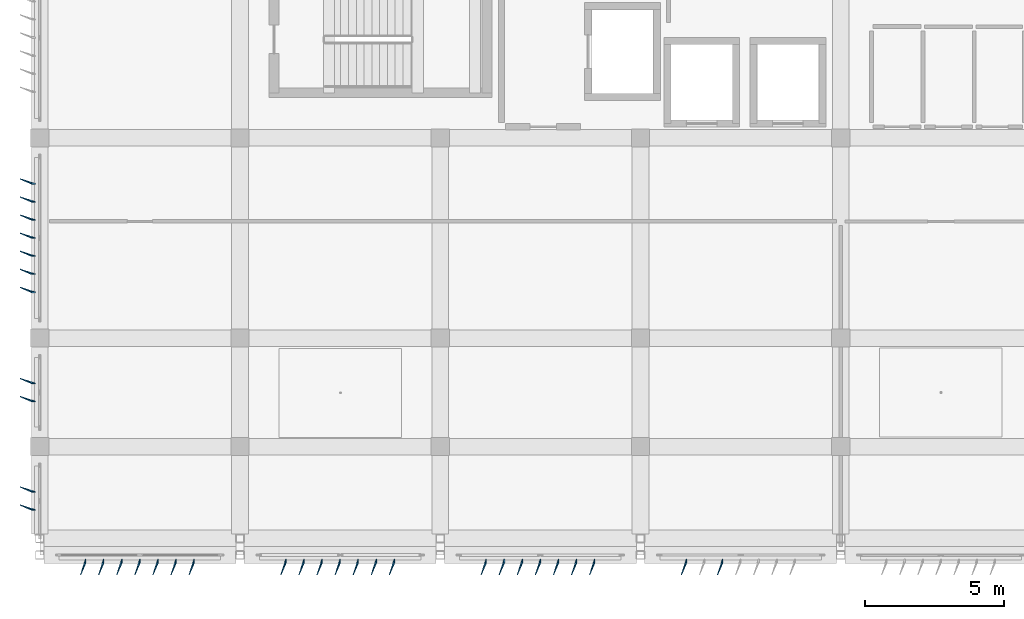
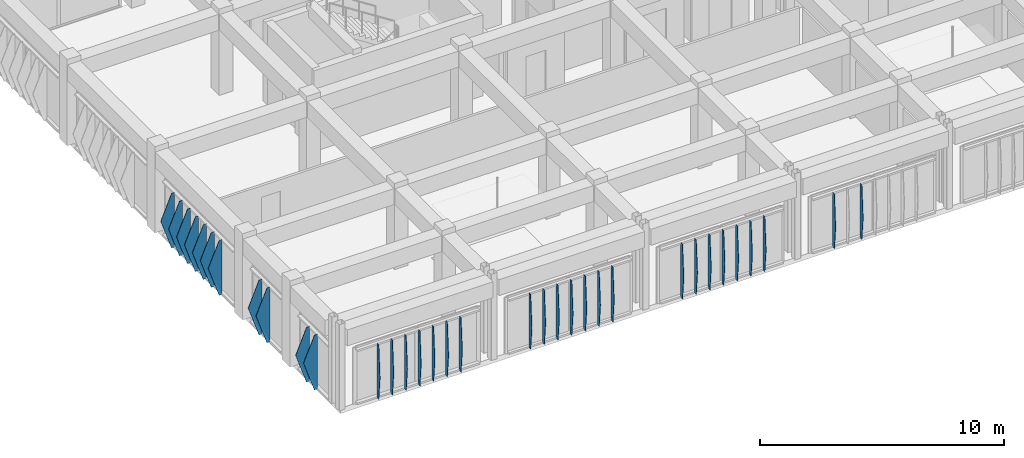
# One storey, part 47 of 53: 34 plates.
"""IFC4 building model written with IfcOpenShell, lengths in metres."""

from ifc_helpers import new_model, si_unit, direction, frame, origin, place, context, subcontext, project, spatial, polygons, material, layer, layer_set, type_object, element, save


model = new_model("IFC4")

# Units and contexts
model_context = context("Model", 3, precision=1e-05, world=origin(), true_north=direction((0.0, 1.0)))
body_context = subcontext(model_context, "Body", "Model", "MODEL_VIEW")
ifc_project = project(units=[si_unit("LENGTHUNIT", "METRE"), si_unit("AREAUNIT", "SQUARE_METRE"), si_unit("VOLUMEUNIT", "CUBIC_METRE"), si_unit("PLANEANGLEUNIT", "RADIAN"), si_unit("MASSUNIT", "GRAM", prefix="KILO")], contexts=[model_context])

# Site, building, storey
site_placement = place(None, origin())
site = spatial("IfcSite", under=ifc_project, at=site_placement, CompositionType="ELEMENT")
building_placement = place(site_placement, origin())
building = spatial("IfcBuilding", under=site, at=building_placement, Name="Kazehaya Institute of Natural Sciences", CompositionType="ELEMENT")
storey_placement = place(building_placement, frame((0.0, 0.0, 33.300048828125)))
storey = spatial("IfcBuildingStorey", under=building, at=storey_placement, Name="L07", CompositionType="ELEMENT", Elevation=33.300048828125)

# Plates
ifc_material = material(Name="Bronze-anodised aluminium alloy A6063S-T5", Category="aluminium")
ifc_layer_1 = layer(ifc_material, 0.02001953125, Name="Bronze-anodised aluminium alloy A6063S-T5", Category="aluminium")
ifc_layer_set_1 = layer_set([ifc_layer_1], Name="Bronze-anodised aluminium alloy A6063S-T5")
plate_type_1 = type_object("IfcPlateType", Name="FIN-DF-E1", PredefinedType="USERDEFINED", material=ifc_layer_set_1)
plate_1_placement = place(storey_placement, origin())
element("IfcPlate", 1, at=plate_1_placement, inside=storey, type_object=plate_type_1, Name="L07 folded diamond-pyramid shading fin FIN-L07-W-0652", ObjectType="SHADING_FIN", PredefinedType="USERDEFINED", context=body_context, shape_type="Tessellation", body=[
    polygons([(54.445068359375, 7.81494140625, 0.0400390625), (54.300048828125, 7.81494140625, 0.0400390625), (53.889892578125, 7.99365234375, 1.409912109375), (54.300048828125, 7.81494140625, 2.780029296875), (54.445068359375, 7.81494140625, 2.780029296875), (54.445068359375, 7.8349609375, 0.0400390625), (54.300048828125, 7.8349609375, 0.0400390625), (53.889892578125, 8.013671875, 1.409912109375), (54.300048828125, 7.8349609375, 2.780029296875), (54.445068359375, 7.8349609375, 2.780029296875)], [[[1, 5, 4, 3, 2]], [[6, 7, 8, 9, 10]], [[1, 2, 7, 6]], [[2, 3, 8, 7]], [[3, 4, 9, 8]], [[4, 5, 10, 9]], [[5, 1, 6, 10]]], closed=True),
])
plate_2_placement = place(storey_placement, origin())
element("IfcPlate", 2, at=plate_2_placement, inside=storey, type_object=plate_type_1, Name="L07 folded diamond-pyramid shading fin FIN-L07-W-0653", ObjectType="SHADING_FIN", PredefinedType="USERDEFINED", context=body_context, shape_type="Tessellation", body=[
    polygons([(54.445068359375, 8.465087890625, 0.0400390625), (54.300048828125, 8.465087890625, 0.0400390625), (53.889892578125, 8.643798828125, 1.409912109375), (54.300048828125, 8.465087890625, 2.780029296875), (54.445068359375, 8.465087890625, 2.780029296875), (54.445068359375, 8.485107421875, 0.0400390625), (54.300048828125, 8.485107421875, 0.0400390625), (53.889892578125, 8.663818359375, 1.409912109375), (54.300048828125, 8.485107421875, 2.780029296875), (54.445068359375, 8.485107421875, 2.780029296875)], [[[1, 5, 4, 3, 2]], [[6, 7, 8, 9, 10]], [[1, 2, 7, 6]], [[2, 3, 8, 7]], [[3, 4, 9, 8]], [[4, 5, 10, 9]], [[5, 1, 6, 10]]], closed=True),
])
plate_3_placement = place(storey_placement, origin())
element("IfcPlate", 3, at=plate_3_placement, inside=storey, type_object=plate_type_1, Name="L07 folded diamond-pyramid shading fin FIN-L07-W-0656", ObjectType="SHADING_FIN", PredefinedType="USERDEFINED", context=body_context, shape_type="Tessellation", body=[
    polygons([(54.445068359375, 11.715087890625, 0.0400390625), (54.300048828125, 11.715087890625, 0.0400390625), (53.889892578125, 11.893798828125, 1.409912109375), (54.300048828125, 11.715087890625, 2.780029296875), (54.445068359375, 11.715087890625, 2.780029296875), (54.445068359375, 11.735107421875, 0.0400390625), (54.300048828125, 11.735107421875, 0.0400390625), (53.889892578125, 11.913818359375, 1.409912109375), (54.300048828125, 11.735107421875, 2.780029296875), (54.445068359375, 11.735107421875, 2.780029296875)], [[[1, 5, 4, 3, 2]], [[6, 7, 8, 9, 10]], [[1, 2, 7, 6]], [[2, 3, 8, 7]], [[3, 4, 9, 8]], [[4, 5, 10, 9]], [[5, 1, 6, 10]]], closed=True),
])
plate_4_placement = place(storey_placement, origin())
element("IfcPlate", 4, at=plate_4_placement, inside=storey, type_object=plate_type_1, Name="L07 folded diamond-pyramid shading fin FIN-L07-W-0657", ObjectType="SHADING_FIN", PredefinedType="USERDEFINED", context=body_context, shape_type="Tessellation", body=[
    polygons([(54.445068359375, 12.364990234375, 0.0400390625), (54.300048828125, 12.364990234375, 0.0400390625), (53.889892578125, 12.543701171875, 1.409912109375), (54.300048828125, 12.364990234375, 2.780029296875), (54.445068359375, 12.364990234375, 2.780029296875), (54.445068359375, 12.385009765625, 0.0400390625), (54.300048828125, 12.385009765625, 0.0400390625), (53.889892578125, 12.563720703125, 1.409912109375), (54.300048828125, 12.385009765625, 2.780029296875), (54.445068359375, 12.385009765625, 2.780029296875)], [[[1, 5, 4, 3, 2]], [[6, 7, 8, 9, 10]], [[1, 2, 7, 6]], [[2, 3, 8, 7]], [[3, 4, 9, 8]], [[4, 5, 10, 9]], [[5, 1, 6, 10]]], closed=True),
])
plate_5_placement = place(storey_placement, origin())
element("IfcPlate", 5, at=plate_5_placement, inside=storey, type_object=plate_type_1, Name="L07 folded diamond-pyramid shading fin FIN-L07-W-0660", ObjectType="SHADING_FIN", PredefinedType="USERDEFINED", context=body_context, shape_type="Tessellation", body=[
    polygons([(54.445068359375, 15.639892578125, 0.0400390625), (54.300048828125, 15.639892578125, 0.0400390625), (53.889892578125, 15.818603515625, 1.409912109375), (54.300048828125, 15.639892578125, 2.780029296875), (54.445068359375, 15.639892578125, 2.780029296875), (54.445068359375, 15.659912109375, 0.0400390625), (54.300048828125, 15.659912109375, 0.0400390625), (53.889892578125, 15.838623046875, 1.409912109375), (54.300048828125, 15.659912109375, 2.780029296875), (54.445068359375, 15.659912109375, 2.780029296875)], [[[1, 5, 4, 3, 2]], [[6, 7, 8, 9, 10]], [[1, 2, 7, 6]], [[2, 3, 8, 7]], [[3, 4, 9, 8]], [[4, 5, 10, 9]], [[5, 1, 6, 10]]], closed=True),
])
plate_6_placement = place(storey_placement, origin())
element("IfcPlate", 6, at=plate_6_placement, inside=storey, type_object=plate_type_1, Name="L07 folded diamond-pyramid shading fin FIN-L07-W-0661", ObjectType="SHADING_FIN", PredefinedType="USERDEFINED", context=body_context, shape_type="Tessellation", body=[
    polygons([(54.445068359375, 16.2900390625, 0.0400390625), (54.300048828125, 16.2900390625, 0.0400390625), (53.889892578125, 16.46875, 1.409912109375), (54.300048828125, 16.2900390625, 2.780029296875), (54.445068359375, 16.2900390625, 2.780029296875), (54.445068359375, 16.31005859375, 0.0400390625), (54.300048828125, 16.31005859375, 0.0400390625), (53.889892578125, 16.48876953125, 1.409912109375), (54.300048828125, 16.31005859375, 2.780029296875), (54.445068359375, 16.31005859375, 2.780029296875)], [[[1, 5, 4, 3, 2]], [[6, 7, 8, 9, 10]], [[1, 2, 7, 6]], [[2, 3, 8, 7]], [[3, 4, 9, 8]], [[4, 5, 10, 9]], [[5, 1, 6, 10]]], closed=True),
])
plate_7_placement = place(storey_placement, origin())
element("IfcPlate", 7, at=plate_7_placement, inside=storey, type_object=plate_type_1, Name="L07 folded diamond-pyramid shading fin FIN-L07-W-0662", ObjectType="SHADING_FIN", PredefinedType="USERDEFINED", context=body_context, shape_type="Tessellation", body=[
    polygons([(54.445068359375, 16.93994140625, 0.0400390625), (54.300048828125, 16.93994140625, 0.0400390625), (53.889892578125, 17.11865234375, 1.409912109375), (54.300048828125, 16.93994140625, 2.780029296875), (54.445068359375, 16.93994140625, 2.780029296875), (54.445068359375, 16.9599609375, 0.0400390625), (54.300048828125, 16.9599609375, 0.0400390625), (53.889892578125, 17.138671875, 1.409912109375), (54.300048828125, 16.9599609375, 2.780029296875), (54.445068359375, 16.9599609375, 2.780029296875)], [[[1, 5, 4, 3, 2]], [[6, 7, 8, 9, 10]], [[1, 2, 7, 6]], [[2, 3, 8, 7]], [[3, 4, 9, 8]], [[4, 5, 10, 9]], [[5, 1, 6, 10]]], closed=True),
])
plate_8_placement = place(storey_placement, origin())
element("IfcPlate", 8, at=plate_8_placement, inside=storey, type_object=plate_type_1, Name="L07 folded diamond-pyramid shading fin FIN-L07-W-0663", ObjectType="SHADING_FIN", PredefinedType="USERDEFINED", context=body_context, shape_type="Tessellation", body=[
    polygons([(54.445068359375, 17.590087890625, 0.0400390625), (54.300048828125, 17.590087890625, 0.0400390625), (53.889892578125, 17.768798828125, 1.409912109375), (54.300048828125, 17.590087890625, 2.780029296875), (54.445068359375, 17.590087890625, 2.780029296875), (54.445068359375, 17.610107421875, 0.0400390625), (54.300048828125, 17.610107421875, 0.0400390625), (53.889892578125, 17.788818359375, 1.409912109375), (54.300048828125, 17.610107421875, 2.780029296875), (54.445068359375, 17.610107421875, 2.780029296875)], [[[1, 5, 4, 3, 2]], [[6, 7, 8, 9, 10]], [[1, 2, 7, 6]], [[2, 3, 8, 7]], [[3, 4, 9, 8]], [[4, 5, 10, 9]], [[5, 1, 6, 10]]], closed=True),
])
plate_9_placement = place(storey_placement, origin())
element("IfcPlate", 9, at=plate_9_placement, inside=storey, type_object=plate_type_1, Name="L07 folded diamond-pyramid shading fin FIN-L07-W-0664", ObjectType="SHADING_FIN", PredefinedType="USERDEFINED", context=body_context, shape_type="Tessellation", body=[
    polygons([(54.445068359375, 18.239990234375, 0.0400390625), (54.300048828125, 18.239990234375, 0.0400390625), (53.889892578125, 18.418701171875, 1.409912109375), (54.300048828125, 18.239990234375, 2.780029296875), (54.445068359375, 18.239990234375, 2.780029296875), (54.445068359375, 18.260009765625, 0.0400390625), (54.300048828125, 18.260009765625, 0.0400390625), (53.889892578125, 18.438720703125, 1.409912109375), (54.300048828125, 18.260009765625, 2.780029296875), (54.445068359375, 18.260009765625, 2.780029296875)], [[[1, 5, 4, 3, 2]], [[6, 7, 8, 9, 10]], [[1, 2, 7, 6]], [[2, 3, 8, 7]], [[3, 4, 9, 8]], [[4, 5, 10, 9]], [[5, 1, 6, 10]]], closed=True),
])
plate_10_placement = place(storey_placement, origin())
element("IfcPlate", 10, at=plate_10_placement, inside=storey, type_object=plate_type_1, Name="L07 folded diamond-pyramid shading fin FIN-L07-W-0665", ObjectType="SHADING_FIN", PredefinedType="USERDEFINED", context=body_context, shape_type="Tessellation", body=[
    polygons([(54.445068359375, 18.889892578125, 0.0400390625), (54.300048828125, 18.889892578125, 0.0400390625), (53.889892578125, 19.068603515625, 1.409912109375), (54.300048828125, 18.889892578125, 2.780029296875), (54.445068359375, 18.889892578125, 2.780029296875), (54.445068359375, 18.909912109375, 0.0400390625), (54.300048828125, 18.909912109375, 0.0400390625), (53.889892578125, 19.088623046875, 1.409912109375), (54.300048828125, 18.909912109375, 2.780029296875), (54.445068359375, 18.909912109375, 2.780029296875)], [[[1, 5, 4, 3, 2]], [[6, 7, 8, 9, 10]], [[1, 2, 7, 6]], [[2, 3, 8, 7]], [[3, 4, 9, 8]], [[4, 5, 10, 9]], [[5, 1, 6, 10]]], closed=True),
])
plate_11_placement = place(storey_placement, origin())
element("IfcPlate", 11, at=plate_11_placement, inside=storey, type_object=plate_type_1, Name="L07 folded diamond-pyramid shading fin FIN-L07-W-0666", ObjectType="SHADING_FIN", PredefinedType="USERDEFINED", context=body_context, shape_type="Tessellation", body=[
    polygons([(54.445068359375, 19.5400390625, 0.0400390625), (54.300048828125, 19.5400390625, 0.0400390625), (53.889892578125, 19.71875, 1.409912109375), (54.300048828125, 19.5400390625, 2.780029296875), (54.445068359375, 19.5400390625, 2.780029296875), (54.445068359375, 19.56005859375, 0.0400390625), (54.300048828125, 19.56005859375, 0.0400390625), (53.889892578125, 19.73876953125, 1.409912109375), (54.300048828125, 19.56005859375, 2.780029296875), (54.445068359375, 19.56005859375, 2.780029296875)], [[[1, 5, 4, 3, 2]], [[6, 7, 8, 9, 10]], [[1, 2, 7, 6]], [[2, 3, 8, 7]], [[3, 4, 9, 8]], [[4, 5, 10, 9]], [[5, 1, 6, 10]]], closed=True),
])
ifc_layer_2 = layer(ifc_material, 0.02001953125, Name="Bronze-anodised aluminium alloy A6063S-T5", Category="aluminium")
ifc_layer_set_2 = layer_set([ifc_layer_2], Name="Bronze-anodised aluminium alloy A6063S-T5")
plate_type_2 = type_object("IfcPlateType", Name="FIN-DF-S1", PredefinedType="USERDEFINED", material=ifc_layer_set_2)
plate_12_placement = place(storey_placement, origin())
element("IfcPlate", 12, at=plate_12_placement, inside=storey, type_object=plate_type_2, Name="L07 folded diamond-pyramid shading fin FIN-L07-S-0583", ObjectType="SHADING_FIN", PredefinedType="USERDEFINED", context=body_context, shape_type="Tessellation", body=[
    polygons([(79.159912109375, 6.044921875, 0.0400390625), (79.159912109375, 5.89990234375, 0.0400390625), (78.981201171875, 5.489990234375, 1.409912109375), (79.159912109375, 5.89990234375, 2.780029296875), (79.159912109375, 6.044921875, 2.780029296875), (79.139892578125, 6.044921875, 0.0400390625), (79.139892578125, 5.89990234375, 0.0400390625), (78.961181640625, 5.489990234375, 1.409912109375), (79.139892578125, 5.89990234375, 2.780029296875), (79.139892578125, 6.044921875, 2.780029296875)], [[[1, 5, 4, 3, 2]], [[6, 7, 8, 9, 10]], [[1, 2, 7, 6]], [[2, 3, 8, 7]], [[3, 4, 9, 8]], [[4, 5, 10, 9]], [[5, 1, 6, 10]]], closed=True),
])
plate_13_placement = place(storey_placement, origin())
element("IfcPlate", 13, at=plate_13_placement, inside=storey, type_object=plate_type_2, Name="L07 folded diamond-pyramid shading fin FIN-L07-S-0585", ObjectType="SHADING_FIN", PredefinedType="USERDEFINED", context=body_context, shape_type="Tessellation", body=[
    polygons([(77.860107421875, 6.044921875, 0.0400390625), (77.860107421875, 5.89990234375, 0.0400390625), (77.681396484375, 5.489990234375, 1.409912109375), (77.860107421875, 5.89990234375, 2.780029296875), (77.860107421875, 6.044921875, 2.780029296875), (77.840087890625, 6.044921875, 0.0400390625), (77.840087890625, 5.89990234375, 0.0400390625), (77.661376953125, 5.489990234375, 1.409912109375), (77.840087890625, 5.89990234375, 2.780029296875), (77.840087890625, 6.044921875, 2.780029296875)], [[[1, 5, 4, 3, 2]], [[6, 7, 8, 9, 10]], [[1, 2, 7, 6]], [[2, 3, 8, 7]], [[3, 4, 9, 8]], [[4, 5, 10, 9]], [[5, 1, 6, 10]]], closed=True),
])
plate_14_placement = place(storey_placement, origin())
element("IfcPlate", 14, at=plate_14_placement, inside=storey, type_object=plate_type_2, Name="L07 folded diamond-pyramid shading fin FIN-L07-S-0586", ObjectType="SHADING_FIN", PredefinedType="USERDEFINED", context=body_context, shape_type="Tessellation", body=[
    polygons([(74.56005859375, 6.044921875, 0.0400390625), (74.56005859375, 5.89990234375, 0.0400390625), (74.38134765625, 5.489990234375, 1.409912109375), (74.56005859375, 5.89990234375, 2.780029296875), (74.56005859375, 6.044921875, 2.780029296875), (74.5400390625, 6.044921875, 0.0400390625), (74.5400390625, 5.89990234375, 0.0400390625), (74.361328125, 5.489990234375, 1.409912109375), (74.5400390625, 5.89990234375, 2.780029296875), (74.5400390625, 6.044921875, 2.780029296875)], [[[1, 5, 4, 3, 2]], [[6, 7, 8, 9, 10]], [[1, 2, 7, 6]], [[2, 3, 8, 7]], [[3, 4, 9, 8]], [[4, 5, 10, 9]], [[5, 1, 6, 10]]], closed=True),
])
plate_15_placement = place(storey_placement, origin())
element("IfcPlate", 15, at=plate_15_placement, inside=storey, type_object=plate_type_2, Name="L07 folded diamond-pyramid shading fin FIN-L07-S-0587", ObjectType="SHADING_FIN", PredefinedType="USERDEFINED", context=body_context, shape_type="Tessellation", body=[
    polygons([(73.909912109375, 6.044921875, 0.0400390625), (73.909912109375, 5.89990234375, 0.0400390625), (73.731201171875, 5.489990234375, 1.409912109375), (73.909912109375, 5.89990234375, 2.780029296875), (73.909912109375, 6.044921875, 2.780029296875), (73.889892578125, 6.044921875, 0.0400390625), (73.889892578125, 5.89990234375, 0.0400390625), (73.711181640625, 5.489990234375, 1.409912109375), (73.889892578125, 5.89990234375, 2.780029296875), (73.889892578125, 6.044921875, 2.780029296875)], [[[1, 5, 4, 3, 2]], [[6, 7, 8, 9, 10]], [[1, 2, 7, 6]], [[2, 3, 8, 7]], [[3, 4, 9, 8]], [[4, 5, 10, 9]], [[5, 1, 6, 10]]], closed=True),
])
plate_16_placement = place(storey_placement, origin())
element("IfcPlate", 16, at=plate_16_placement, inside=storey, type_object=plate_type_2, Name="L07 folded diamond-pyramid shading fin FIN-L07-S-0588", ObjectType="SHADING_FIN", PredefinedType="USERDEFINED", context=body_context, shape_type="Tessellation", body=[
    polygons([(73.260009765625, 6.044921875, 0.0400390625), (73.260009765625, 5.89990234375, 0.0400390625), (73.081298828125, 5.489990234375, 1.409912109375), (73.260009765625, 5.89990234375, 2.780029296875), (73.260009765625, 6.044921875, 2.780029296875), (73.239990234375, 6.044921875, 0.0400390625), (73.239990234375, 5.89990234375, 0.0400390625), (73.061279296875, 5.489990234375, 1.409912109375), (73.239990234375, 5.89990234375, 2.780029296875), (73.239990234375, 6.044921875, 2.780029296875)], [[[1, 5, 4, 3, 2]], [[6, 7, 8, 9, 10]], [[1, 2, 7, 6]], [[2, 3, 8, 7]], [[3, 4, 9, 8]], [[4, 5, 10, 9]], [[5, 1, 6, 10]]], closed=True),
])
plate_17_placement = place(storey_placement, origin())
element("IfcPlate", 17, at=plate_17_placement, inside=storey, type_object=plate_type_2, Name="L07 folded diamond-pyramid shading fin FIN-L07-S-0589", ObjectType="SHADING_FIN", PredefinedType="USERDEFINED", context=body_context, shape_type="Tessellation", body=[
    polygons([(72.610107421875, 6.044921875, 0.0400390625), (72.610107421875, 5.89990234375, 0.0400390625), (72.431396484375, 5.489990234375, 1.409912109375), (72.610107421875, 5.89990234375, 2.780029296875), (72.610107421875, 6.044921875, 2.780029296875), (72.590087890625, 6.044921875, 0.0400390625), (72.590087890625, 5.89990234375, 0.0400390625), (72.411376953125, 5.489990234375, 1.409912109375), (72.590087890625, 5.89990234375, 2.780029296875), (72.590087890625, 6.044921875, 2.780029296875)], [[[1, 5, 4, 3, 2]], [[6, 7, 8, 9, 10]], [[1, 2, 7, 6]], [[2, 3, 8, 7]], [[3, 4, 9, 8]], [[4, 5, 10, 9]], [[5, 1, 6, 10]]], closed=True),
])
plate_18_placement = place(storey_placement, origin())
element("IfcPlate", 18, at=plate_18_placement, inside=storey, type_object=plate_type_2, Name="L07 folded diamond-pyramid shading fin FIN-L07-S-0590", ObjectType="SHADING_FIN", PredefinedType="USERDEFINED", context=body_context, shape_type="Tessellation", body=[
    polygons([(71.9599609375, 6.044921875, 0.0400390625), (71.9599609375, 5.89990234375, 0.0400390625), (71.78125, 5.489990234375, 1.409912109375), (71.9599609375, 5.89990234375, 2.780029296875), (71.9599609375, 6.044921875, 2.780029296875), (71.93994140625, 6.044921875, 0.0400390625), (71.93994140625, 5.89990234375, 0.0400390625), (71.76123046875, 5.489990234375, 1.409912109375), (71.93994140625, 5.89990234375, 2.780029296875), (71.93994140625, 6.044921875, 2.780029296875)], [[[1, 5, 4, 3, 2]], [[6, 7, 8, 9, 10]], [[1, 2, 7, 6]], [[2, 3, 8, 7]], [[3, 4, 9, 8]], [[4, 5, 10, 9]], [[5, 1, 6, 10]]], closed=True),
])
plate_19_placement = place(storey_placement, origin())
element("IfcPlate", 19, at=plate_19_placement, inside=storey, type_object=plate_type_2, Name="L07 folded diamond-pyramid shading fin FIN-L07-S-0591", ObjectType="SHADING_FIN", PredefinedType="USERDEFINED", context=body_context, shape_type="Tessellation", body=[
    polygons([(71.31005859375, 6.044921875, 0.0400390625), (71.31005859375, 5.89990234375, 0.0400390625), (71.13134765625, 5.489990234375, 1.409912109375), (71.31005859375, 5.89990234375, 2.780029296875), (71.31005859375, 6.044921875, 2.780029296875), (71.2900390625, 6.044921875, 0.0400390625), (71.2900390625, 5.89990234375, 0.0400390625), (71.111328125, 5.489990234375, 1.409912109375), (71.2900390625, 5.89990234375, 2.780029296875), (71.2900390625, 6.044921875, 2.780029296875)], [[[1, 5, 4, 3, 2]], [[6, 7, 8, 9, 10]], [[1, 2, 7, 6]], [[2, 3, 8, 7]], [[3, 4, 9, 8]], [[4, 5, 10, 9]], [[5, 1, 6, 10]]], closed=True),
])
plate_20_placement = place(storey_placement, origin())
element("IfcPlate", 20, at=plate_20_placement, inside=storey, type_object=plate_type_2, Name="L07 folded diamond-pyramid shading fin FIN-L07-S-0592", ObjectType="SHADING_FIN", PredefinedType="USERDEFINED", context=body_context, shape_type="Tessellation", body=[
    polygons([(70.659912109375, 6.044921875, 0.0400390625), (70.659912109375, 5.89990234375, 0.0400390625), (70.481201171875, 5.489990234375, 1.409912109375), (70.659912109375, 5.89990234375, 2.780029296875), (70.659912109375, 6.044921875, 2.780029296875), (70.639892578125, 6.044921875, 0.0400390625), (70.639892578125, 5.89990234375, 0.0400390625), (70.461181640625, 5.489990234375, 1.409912109375), (70.639892578125, 5.89990234375, 2.780029296875), (70.639892578125, 6.044921875, 2.780029296875)], [[[1, 5, 4, 3, 2]], [[6, 7, 8, 9, 10]], [[1, 2, 7, 6]], [[2, 3, 8, 7]], [[3, 4, 9, 8]], [[4, 5, 10, 9]], [[5, 1, 6, 10]]], closed=True),
])
plate_21_placement = place(storey_placement, origin())
element("IfcPlate", 21, at=plate_21_placement, inside=storey, type_object=plate_type_2, Name="L07 folded diamond-pyramid shading fin FIN-L07-S-0593", ObjectType="SHADING_FIN", PredefinedType="USERDEFINED", context=body_context, shape_type="Tessellation", body=[
    polygons([(67.360107421875, 6.044921875, 0.0400390625), (67.360107421875, 5.89990234375, 0.0400390625), (67.181396484375, 5.489990234375, 1.409912109375), (67.360107421875, 5.89990234375, 2.780029296875), (67.360107421875, 6.044921875, 2.780029296875), (67.340087890625, 6.044921875, 0.0400390625), (67.340087890625, 5.89990234375, 0.0400390625), (67.161376953125, 5.489990234375, 1.409912109375), (67.340087890625, 5.89990234375, 2.780029296875), (67.340087890625, 6.044921875, 2.780029296875)], [[[1, 5, 4, 3, 2]], [[6, 7, 8, 9, 10]], [[1, 2, 7, 6]], [[2, 3, 8, 7]], [[3, 4, 9, 8]], [[4, 5, 10, 9]], [[5, 1, 6, 10]]], closed=True),
])
plate_22_placement = place(storey_placement, origin())
element("IfcPlate", 22, at=plate_22_placement, inside=storey, type_object=plate_type_2, Name="L07 folded diamond-pyramid shading fin FIN-L07-S-0594", ObjectType="SHADING_FIN", PredefinedType="USERDEFINED", context=body_context, shape_type="Tessellation", body=[
    polygons([(66.7099609375, 6.044921875, 0.0400390625), (66.7099609375, 5.89990234375, 0.0400390625), (66.53125, 5.489990234375, 1.409912109375), (66.7099609375, 5.89990234375, 2.780029296875), (66.7099609375, 6.044921875, 2.780029296875), (66.68994140625, 6.044921875, 0.0400390625), (66.68994140625, 5.89990234375, 0.0400390625), (66.51123046875, 5.489990234375, 1.409912109375), (66.68994140625, 5.89990234375, 2.780029296875), (66.68994140625, 6.044921875, 2.780029296875)], [[[1, 5, 4, 3, 2]], [[6, 7, 8, 9, 10]], [[1, 2, 7, 6]], [[2, 3, 8, 7]], [[3, 4, 9, 8]], [[4, 5, 10, 9]], [[5, 1, 6, 10]]], closed=True),
])
plate_23_placement = place(storey_placement, origin())
element("IfcPlate", 23, at=plate_23_placement, inside=storey, type_object=plate_type_2, Name="L07 folded diamond-pyramid shading fin FIN-L07-S-0595", ObjectType="SHADING_FIN", PredefinedType="USERDEFINED", context=body_context, shape_type="Tessellation", body=[
    polygons([(66.06005859375, 6.044921875, 0.0400390625), (66.06005859375, 5.89990234375, 0.0400390625), (65.88134765625, 5.489990234375, 1.409912109375), (66.06005859375, 5.89990234375, 2.780029296875), (66.06005859375, 6.044921875, 2.780029296875), (66.0400390625, 6.044921875, 0.0400390625), (66.0400390625, 5.89990234375, 0.0400390625), (65.861328125, 5.489990234375, 1.409912109375), (66.0400390625, 5.89990234375, 2.780029296875), (66.0400390625, 6.044921875, 2.780029296875)], [[[1, 5, 4, 3, 2]], [[6, 7, 8, 9, 10]], [[1, 2, 7, 6]], [[2, 3, 8, 7]], [[3, 4, 9, 8]], [[4, 5, 10, 9]], [[5, 1, 6, 10]]], closed=True),
])
plate_24_placement = place(storey_placement, origin())
element("IfcPlate", 24, at=plate_24_placement, inside=storey, type_object=plate_type_2, Name="L07 folded diamond-pyramid shading fin FIN-L07-S-0596", ObjectType="SHADING_FIN", PredefinedType="USERDEFINED", context=body_context, shape_type="Tessellation", body=[
    polygons([(65.409912109375, 6.044921875, 0.0400390625), (65.409912109375, 5.89990234375, 0.0400390625), (65.231201171875, 5.489990234375, 1.409912109375), (65.409912109375, 5.89990234375, 2.780029296875), (65.409912109375, 6.044921875, 2.780029296875), (65.389892578125, 6.044921875, 0.0400390625), (65.389892578125, 5.89990234375, 0.0400390625), (65.211181640625, 5.489990234375, 1.409912109375), (65.389892578125, 5.89990234375, 2.780029296875), (65.389892578125, 6.044921875, 2.780029296875)], [[[1, 5, 4, 3, 2]], [[6, 7, 8, 9, 10]], [[1, 2, 7, 6]], [[2, 3, 8, 7]], [[3, 4, 9, 8]], [[4, 5, 10, 9]], [[5, 1, 6, 10]]], closed=True),
])
plate_25_placement = place(storey_placement, origin())
element("IfcPlate", 25, at=plate_25_placement, inside=storey, type_object=plate_type_2, Name="L07 folded diamond-pyramid shading fin FIN-L07-S-0597", ObjectType="SHADING_FIN", PredefinedType="USERDEFINED", context=body_context, shape_type="Tessellation", body=[
    polygons([(64.760009765625, 6.044921875, 0.0400390625), (64.760009765625, 5.89990234375, 0.0400390625), (64.581298828125, 5.489990234375, 1.409912109375), (64.760009765625, 5.89990234375, 2.780029296875), (64.760009765625, 6.044921875, 2.780029296875), (64.739990234375, 6.044921875, 0.0400390625), (64.739990234375, 5.89990234375, 0.0400390625), (64.561279296875, 5.489990234375, 1.409912109375), (64.739990234375, 5.89990234375, 2.780029296875), (64.739990234375, 6.044921875, 2.780029296875)], [[[1, 5, 4, 3, 2]], [[6, 7, 8, 9, 10]], [[1, 2, 7, 6]], [[2, 3, 8, 7]], [[3, 4, 9, 8]], [[4, 5, 10, 9]], [[5, 1, 6, 10]]], closed=True),
])
plate_26_placement = place(storey_placement, origin())
element("IfcPlate", 26, at=plate_26_placement, inside=storey, type_object=plate_type_2, Name="L07 folded diamond-pyramid shading fin FIN-L07-S-0598", ObjectType="SHADING_FIN", PredefinedType="USERDEFINED", context=body_context, shape_type="Tessellation", body=[
    polygons([(64.110107421875, 6.044921875, 0.0400390625), (64.110107421875, 5.89990234375, 0.0400390625), (63.931396484375, 5.489990234375, 1.409912109375), (64.110107421875, 5.89990234375, 2.780029296875), (64.110107421875, 6.044921875, 2.780029296875), (64.090087890625, 6.044921875, 0.0400390625), (64.090087890625, 5.89990234375, 0.0400390625), (63.911376953125, 5.489990234375, 1.409912109375), (64.090087890625, 5.89990234375, 2.780029296875), (64.090087890625, 6.044921875, 2.780029296875)], [[[1, 5, 4, 3, 2]], [[6, 7, 8, 9, 10]], [[1, 2, 7, 6]], [[2, 3, 8, 7]], [[3, 4, 9, 8]], [[4, 5, 10, 9]], [[5, 1, 6, 10]]], closed=True),
])
plate_27_placement = place(storey_placement, origin())
element("IfcPlate", 27, at=plate_27_placement, inside=storey, type_object=plate_type_2, Name="L07 folded diamond-pyramid shading fin FIN-L07-S-0599", ObjectType="SHADING_FIN", PredefinedType="USERDEFINED", context=body_context, shape_type="Tessellation", body=[
    polygons([(63.4599609375, 6.044921875, 0.0400390625), (63.4599609375, 5.89990234375, 0.0400390625), (63.28125, 5.489990234375, 1.409912109375), (63.4599609375, 5.89990234375, 2.780029296875), (63.4599609375, 6.044921875, 2.780029296875), (63.43994140625, 6.044921875, 0.0400390625), (63.43994140625, 5.89990234375, 0.0400390625), (63.26123046875, 5.489990234375, 1.409912109375), (63.43994140625, 5.89990234375, 2.780029296875), (63.43994140625, 6.044921875, 2.780029296875)], [[[1, 5, 4, 3, 2]], [[6, 7, 8, 9, 10]], [[1, 2, 7, 6]], [[2, 3, 8, 7]], [[3, 4, 9, 8]], [[4, 5, 10, 9]], [[5, 1, 6, 10]]], closed=True),
])
plate_28_placement = place(storey_placement, origin())
element("IfcPlate", 28, at=plate_28_placement, inside=storey, type_object=plate_type_2, Name="L07 folded diamond-pyramid shading fin FIN-L07-S-0600", ObjectType="SHADING_FIN", PredefinedType="USERDEFINED", context=body_context, shape_type="Tessellation", body=[
    polygons([(60.159912109375, 6.044921875, 0.0400390625), (60.159912109375, 5.89990234375, 0.0400390625), (59.981201171875, 5.489990234375, 1.409912109375), (60.159912109375, 5.89990234375, 2.780029296875), (60.159912109375, 6.044921875, 2.780029296875), (60.139892578125, 6.044921875, 0.0400390625), (60.139892578125, 5.89990234375, 0.0400390625), (59.961181640625, 5.489990234375, 1.409912109375), (60.139892578125, 5.89990234375, 2.780029296875), (60.139892578125, 6.044921875, 2.780029296875)], [[[1, 5, 4, 3, 2]], [[6, 7, 8, 9, 10]], [[1, 2, 7, 6]], [[2, 3, 8, 7]], [[3, 4, 9, 8]], [[4, 5, 10, 9]], [[5, 1, 6, 10]]], closed=True),
])
plate_29_placement = place(storey_placement, origin())
element("IfcPlate", 29, at=plate_29_placement, inside=storey, type_object=plate_type_2, Name="L07 folded diamond-pyramid shading fin FIN-L07-S-0601", ObjectType="SHADING_FIN", PredefinedType="USERDEFINED", context=body_context, shape_type="Tessellation", body=[
    polygons([(59.510009765625, 6.044921875, 0.0400390625), (59.510009765625, 5.89990234375, 0.0400390625), (59.331298828125, 5.489990234375, 1.409912109375), (59.510009765625, 5.89990234375, 2.780029296875), (59.510009765625, 6.044921875, 2.780029296875), (59.489990234375, 6.044921875, 0.0400390625), (59.489990234375, 5.89990234375, 0.0400390625), (59.311279296875, 5.489990234375, 1.409912109375), (59.489990234375, 5.89990234375, 2.780029296875), (59.489990234375, 6.044921875, 2.780029296875)], [[[1, 5, 4, 3, 2]], [[6, 7, 8, 9, 10]], [[1, 2, 7, 6]], [[2, 3, 8, 7]], [[3, 4, 9, 8]], [[4, 5, 10, 9]], [[5, 1, 6, 10]]], closed=True),
])
plate_30_placement = place(storey_placement, origin())
element("IfcPlate", 30, at=plate_30_placement, inside=storey, type_object=plate_type_2, Name="L07 folded diamond-pyramid shading fin FIN-L07-S-0602", ObjectType="SHADING_FIN", PredefinedType="USERDEFINED", context=body_context, shape_type="Tessellation", body=[
    polygons([(58.860107421875, 6.044921875, 0.0400390625), (58.860107421875, 5.89990234375, 0.0400390625), (58.681396484375, 5.489990234375, 1.409912109375), (58.860107421875, 5.89990234375, 2.780029296875), (58.860107421875, 6.044921875, 2.780029296875), (58.840087890625, 6.044921875, 0.0400390625), (58.840087890625, 5.89990234375, 0.0400390625), (58.661376953125, 5.489990234375, 1.409912109375), (58.840087890625, 5.89990234375, 2.780029296875), (58.840087890625, 6.044921875, 2.780029296875)], [[[1, 5, 4, 3, 2]], [[6, 7, 8, 9, 10]], [[1, 2, 7, 6]], [[2, 3, 8, 7]], [[3, 4, 9, 8]], [[4, 5, 10, 9]], [[5, 1, 6, 10]]], closed=True),
])
plate_31_placement = place(storey_placement, origin())
element("IfcPlate", 31, at=plate_31_placement, inside=storey, type_object=plate_type_2, Name="L07 folded diamond-pyramid shading fin FIN-L07-S-0603", ObjectType="SHADING_FIN", PredefinedType="USERDEFINED", context=body_context, shape_type="Tessellation", body=[
    polygons([(58.2099609375, 6.044921875, 0.0400390625), (58.2099609375, 5.89990234375, 0.0400390625), (58.03125, 5.489990234375, 1.409912109375), (58.2099609375, 5.89990234375, 2.780029296875), (58.2099609375, 6.044921875, 2.780029296875), (58.18994140625, 6.044921875, 0.0400390625), (58.18994140625, 5.89990234375, 0.0400390625), (58.01123046875, 5.489990234375, 1.409912109375), (58.18994140625, 5.89990234375, 2.780029296875), (58.18994140625, 6.044921875, 2.780029296875)], [[[1, 5, 4, 3, 2]], [[6, 7, 8, 9, 10]], [[1, 2, 7, 6]], [[2, 3, 8, 7]], [[3, 4, 9, 8]], [[4, 5, 10, 9]], [[5, 1, 6, 10]]], closed=True),
])
plate_32_placement = place(storey_placement, origin())
element("IfcPlate", 32, at=plate_32_placement, inside=storey, type_object=plate_type_2, Name="L07 folded diamond-pyramid shading fin FIN-L07-S-0604", ObjectType="SHADING_FIN", PredefinedType="USERDEFINED", context=body_context, shape_type="Tessellation", body=[
    polygons([(57.56005859375, 6.044921875, 0.0400390625), (57.56005859375, 5.89990234375, 0.0400390625), (57.38134765625, 5.489990234375, 1.409912109375), (57.56005859375, 5.89990234375, 2.780029296875), (57.56005859375, 6.044921875, 2.780029296875), (57.5400390625, 6.044921875, 0.0400390625), (57.5400390625, 5.89990234375, 0.0400390625), (57.361328125, 5.489990234375, 1.409912109375), (57.5400390625, 5.89990234375, 2.780029296875), (57.5400390625, 6.044921875, 2.780029296875)], [[[1, 5, 4, 3, 2]], [[6, 7, 8, 9, 10]], [[1, 2, 7, 6]], [[2, 3, 8, 7]], [[3, 4, 9, 8]], [[4, 5, 10, 9]], [[5, 1, 6, 10]]], closed=True),
])
plate_33_placement = place(storey_placement, origin())
element("IfcPlate", 33, at=plate_33_placement, inside=storey, type_object=plate_type_2, Name="L07 folded diamond-pyramid shading fin FIN-L07-S-0605", ObjectType="SHADING_FIN", PredefinedType="USERDEFINED", context=body_context, shape_type="Tessellation", body=[
    polygons([(56.909912109375, 6.044921875, 0.0400390625), (56.909912109375, 5.89990234375, 0.0400390625), (56.731201171875, 5.489990234375, 1.409912109375), (56.909912109375, 5.89990234375, 2.780029296875), (56.909912109375, 6.044921875, 2.780029296875), (56.889892578125, 6.044921875, 0.0400390625), (56.889892578125, 5.89990234375, 0.0400390625), (56.711181640625, 5.489990234375, 1.409912109375), (56.889892578125, 5.89990234375, 2.780029296875), (56.889892578125, 6.044921875, 2.780029296875)], [[[1, 5, 4, 3, 2]], [[6, 7, 8, 9, 10]], [[1, 2, 7, 6]], [[2, 3, 8, 7]], [[3, 4, 9, 8]], [[4, 5, 10, 9]], [[5, 1, 6, 10]]], closed=True),
])
plate_34_placement = place(storey_placement, origin())
element("IfcPlate", 34, at=plate_34_placement, inside=storey, type_object=plate_type_2, Name="L07 folded diamond-pyramid shading fin FIN-L07-S-0606", ObjectType="SHADING_FIN", PredefinedType="USERDEFINED", context=body_context, shape_type="Tessellation", body=[
    polygons([(56.260009765625, 6.044921875, 0.0400390625), (56.260009765625, 5.89990234375, 0.0400390625), (56.081298828125, 5.489990234375, 1.409912109375), (56.260009765625, 5.89990234375, 2.780029296875), (56.260009765625, 6.044921875, 2.780029296875), (56.239990234375, 6.044921875, 0.0400390625), (56.239990234375, 5.89990234375, 0.0400390625), (56.061279296875, 5.489990234375, 1.409912109375), (56.239990234375, 5.89990234375, 2.780029296875), (56.239990234375, 6.044921875, 2.780029296875)], [[[1, 5, 4, 3, 2]], [[6, 7, 8, 9, 10]], [[1, 2, 7, 6]], [[2, 3, 8, 7]], [[3, 4, 9, 8]], [[4, 5, 10, 9]], [[5, 1, 6, 10]]], closed=True),
])

save(model, "model.ifc")
